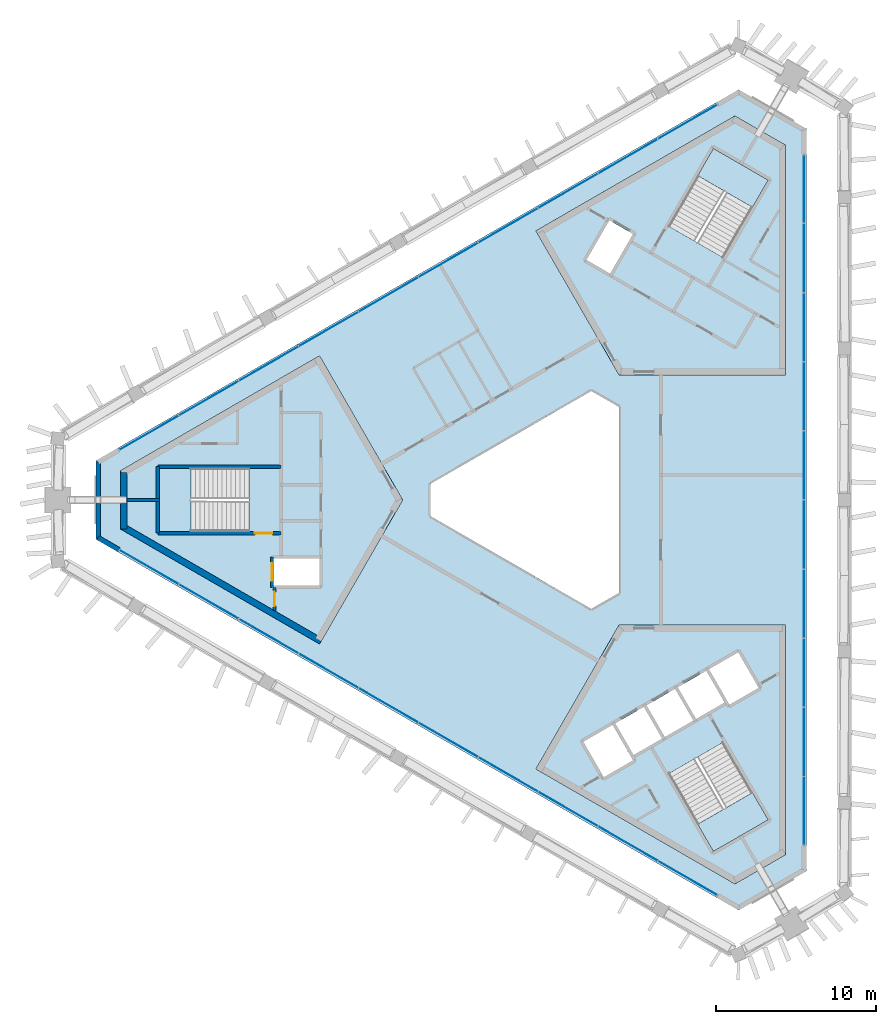
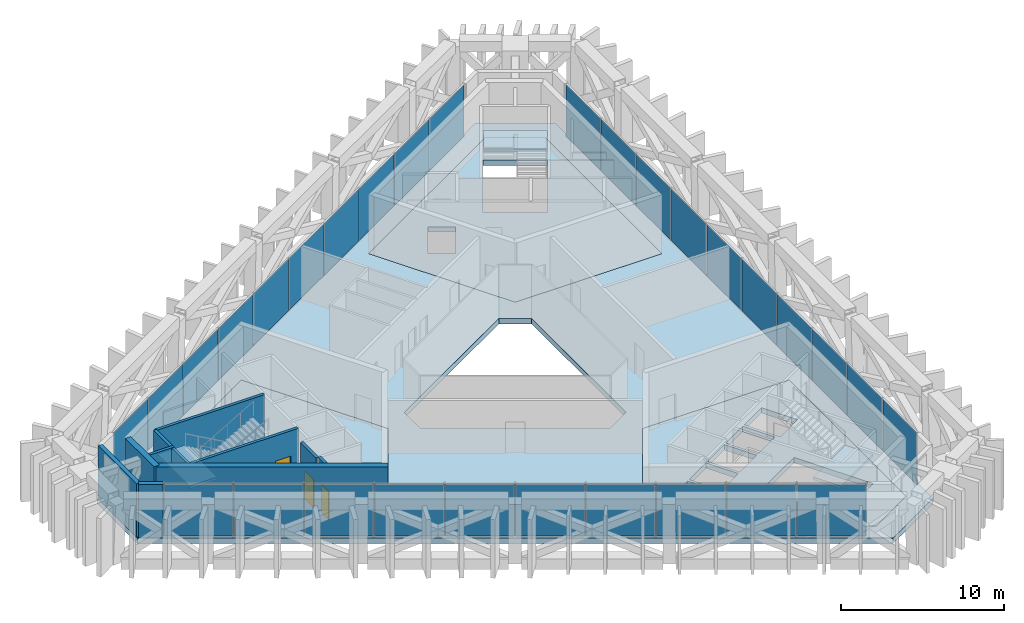
# One storey, part 7 of 12: 30 plates, 10 walls, 7 slabs, 3 doors, 3 openings, 6 elements without a shape of their own.
"""IFC4 building model written with IfcOpenShell, lengths in metres."""

from ifc_helpers import new_model, si_unit, direction, frame, frame_2d, origin, origin_2d, place, context, subcontext, project, spatial, polyline, rectangle, outline, extrude, material, layer, layer_set, type_object, element, fill, aggregate, save


model = new_model("IFC4")

# Units and contexts
model_context = context("Model", 3, precision=1e-05, world=origin(), true_north=direction((0.0, 1.0)))
body_context = subcontext(model_context, "Body", "Model", "MODEL_VIEW")
ifc_project = project(units=[si_unit("LENGTHUNIT", "METRE"), si_unit("AREAUNIT", "SQUARE_METRE"), si_unit("VOLUMEUNIT", "CUBIC_METRE"), si_unit("PLANEANGLEUNIT", "RADIAN"), si_unit("MASSUNIT", "GRAM", prefix="KILO")], contexts=[model_context])

# Site, building, storey
site_placement = place(None, origin())
site = spatial("IfcSite", under=ifc_project, at=site_placement, CompositionType="ELEMENT")
building_placement = place(site_placement, origin())
building = spatial("IfcBuilding", under=site, at=building_placement, Name="Jabali Bay Hotel Tower and Convention Centre", CompositionType="ELEMENT")
storey_placement = place(building_placement, frame((0.0, 0.0, 300.39990234375)))
storey = spatial("IfcBuildingStorey", under=building, at=storey_placement, Name="L74", CompositionType="ELEMENT", Elevation=300.39990234375)

# Curtain wall, plates
ifc_material_1 = material(Name="Aluminium and glass", Category="aluminium")
ifc_layer_1 = layer(ifc_material_1, 0.159912109375)
ifc_layer_set_1 = layer_set([ifc_layer_1], Name="Aluminium and glass")
curtain_wall_type = type_object("IfcCurtainWallType", Name="CW3 curtain wall", PredefinedType="NOTDEFINED", material=ifc_layer_set_1)
curtain_wall_1_placement = place(storey_placement, origin())
curtain_wall_1 = element("IfcCurtainWall", 1, at=curtain_wall_1_placement, inside=storey, type_object=curtain_wall_type, Name="CW3 curtain wall east face L74", PredefinedType="NOTDEFINED")
ifc_material_2 = material(Name="Glass", Category="glass")
ifc_layer_2 = layer(ifc_material_2, 0.028076171875)
ifc_layer_set_2 = layer_set([ifc_layer_2], Name="Glass")
plate_type = type_object("IfcPlateType", Name="CW3 glass panel 28", PredefinedType="CURTAIN_PANEL", material=ifc_layer_set_2)
plate_1_placement = place(storey_placement, frame((91.041015625, 99.393798828125, 0.06005859375), z_axis=(0.0, 0.0, 1.0), x_axis=(0.0, -1.0, 0.0)))
plate_1 = element("IfcPlate", 2, at=plate_1_placement, type_object=plate_type, Name="CW3 panel 1.1", PredefinedType="CURTAIN_PANEL", context=body_context, shape_type="SweptSolid", body=[
    extrude(rectangle(XDim=4.22314453125, YDim=0.028076171875, at=origin_2d()), origin(), (0.0, 0.0, 1.0), 3.8798828125),
])
plate_2_placement = place(storey_placement, frame((91.041015625, 95.095703125, 0.06005859375), z_axis=(0.0, 0.0, 1.0), x_axis=(0.0, -1.0, 0.0)))
plate_2 = element("IfcPlate", 3, at=plate_2_placement, type_object=plate_type, Name="CW3 panel 2.1", PredefinedType="CURTAIN_PANEL", context=body_context, shape_type="SweptSolid", body=[
    extrude(rectangle(XDim=4.253173828125, YDim=0.028076171875, at=origin_2d()), origin(), (0.0, 0.0, 1.0), 3.8798828125),
])
plate_3_placement = place(storey_placement, frame((91.041015625, 90.78271484375, 0.06005859375), z_axis=(0.0, 0.0, 1.0), x_axis=(0.0, -1.0, 0.0)))
plate_3 = element("IfcPlate", 4, at=plate_3_placement, type_object=plate_type, Name="CW3 panel 3.1", PredefinedType="CURTAIN_PANEL", context=body_context, shape_type="SweptSolid", body=[
    extrude(rectangle(XDim=4.253173828125, YDim=0.028076171875, at=origin_2d()), origin(), (0.0, 0.0, 1.0), 3.8798828125),
])
plate_4_placement = place(storey_placement, frame((91.041015625, 86.469482421875, 0.06005859375), z_axis=(0.0, 0.0, 1.0), x_axis=(0.0, -1.0, 0.0)))
plate_4 = element("IfcPlate", 5, at=plate_4_placement, type_object=plate_type, Name="CW3 panel 4.1", PredefinedType="CURTAIN_PANEL", context=body_context, shape_type="SweptSolid", body=[
    extrude(rectangle(XDim=4.253173828125, YDim=0.028076171875, at=origin_2d()), origin(), (0.0, 0.0, 1.0), 3.8798828125),
])
plate_5_placement = place(storey_placement, frame((91.041015625, 82.156494140625, 0.06005859375), z_axis=(0.0, 0.0, 1.0), x_axis=(0.0, -1.0, 0.0)))
plate_5 = element("IfcPlate", 6, at=plate_5_placement, type_object=plate_type, Name="CW3 panel 5.1", PredefinedType="CURTAIN_PANEL", context=body_context, shape_type="SweptSolid", body=[
    extrude(rectangle(XDim=4.253173828125, YDim=0.028076171875, at=origin_2d()), origin(), (0.0, 0.0, 1.0), 3.8798828125),
])
plate_6_placement = place(storey_placement, frame((91.041015625, 77.843505859375, 0.06005859375), z_axis=(0.0, 0.0, 1.0), x_axis=(0.0, -1.0, 0.0)))
plate_6 = element("IfcPlate", 7, at=plate_6_placement, type_object=plate_type, Name="CW3 panel 6.1", PredefinedType="CURTAIN_PANEL", context=body_context, shape_type="SweptSolid", body=[
    extrude(rectangle(XDim=4.253173828125, YDim=0.028076171875, at=origin_2d()), origin(), (0.0, 0.0, 1.0), 3.8798828125),
])
plate_7_placement = place(storey_placement, frame((91.041015625, 73.530517578125, 0.06005859375), z_axis=(0.0, 0.0, 1.0), x_axis=(0.0, -1.0, 0.0)))
plate_7 = element("IfcPlate", 8, at=plate_7_placement, type_object=plate_type, Name="CW3 panel 7.1", PredefinedType="CURTAIN_PANEL", context=body_context, shape_type="SweptSolid", body=[
    extrude(rectangle(XDim=4.253173828125, YDim=0.028076171875, at=origin_2d()), origin(), (0.0, 0.0, 1.0), 3.8798828125),
])
plate_8_placement = place(storey_placement, frame((91.041015625, 69.21728515625, 0.06005859375), z_axis=(0.0, 0.0, 1.0), x_axis=(0.0, -1.0, 0.0)))
plate_8 = element("IfcPlate", 9, at=plate_8_placement, type_object=plate_type, Name="CW3 panel 8.1", PredefinedType="CURTAIN_PANEL", context=body_context, shape_type="SweptSolid", body=[
    extrude(rectangle(XDim=4.253173828125, YDim=0.028076171875, at=origin_2d()), origin(), (0.0, 0.0, 1.0), 3.8798828125),
])
plate_9_placement = place(storey_placement, frame((91.041015625, 64.904296875, 0.06005859375), z_axis=(0.0, 0.0, 1.0), x_axis=(0.0, -1.0, 0.0)))
plate_9 = element("IfcPlate", 10, at=plate_9_placement, type_object=plate_type, Name="CW3 panel 9.1", PredefinedType="CURTAIN_PANEL", context=body_context, shape_type="SweptSolid", body=[
    extrude(rectangle(XDim=4.253173828125, YDim=0.028076171875, at=origin_2d()), origin(), (0.0, 0.0, 1.0), 3.8798828125),
])
plate_10_placement = place(storey_placement, frame((91.041015625, 60.606201171875, 0.06005859375), z_axis=(0.0, 0.0, 1.0), x_axis=(0.0, -1.0, 0.0)))
plate_10 = element("IfcPlate", 11, at=plate_10_placement, type_object=plate_type, Name="CW3 panel 10.1", PredefinedType="CURTAIN_PANEL", context=body_context, shape_type="SweptSolid", body=[
    extrude(rectangle(XDim=4.22314453125, YDim=0.028076171875, at=origin_2d()), origin(), (0.0, 0.0, 1.0), 3.8798828125),
])
aggregate(curtain_wall_1, [plate_1, plate_2, plate_3, plate_4, plate_5, plate_6, plate_7, plate_8, plate_9, plate_10])

curtain_wall_2_placement = place(storey_placement, origin())
curtain_wall_2 = element("IfcCurtainWall", 12, at=curtain_wall_2_placement, inside=storey, type_object=curtain_wall_type, Name="CW3 curtain wall north-west face L74", PredefinedType="NOTDEFINED")
plate_11_placement = place(storey_placement, frame((50.18408203125, 84.195068359375, 0.06005859375), z_axis=(0.0, 0.0, 1.0), x_axis=(0.866025400966, 0.500000004882, 0.0)))
plate_11 = element("IfcPlate", 13, at=plate_11_placement, type_object=plate_type, Name="CW3 panel 1.1", PredefinedType="CURTAIN_PANEL", context=body_context, shape_type="SweptSolid", body=[
    extrude(rectangle(XDim=4.22314453125, YDim=0.028076171875, at=origin_2d()), origin(), (0.0, 0.0, 1.0), 3.8798828125),
])
plate_12_placement = place(storey_placement, frame((53.90625, 86.343994140625, 0.06005859375), z_axis=(0.0, 0.0, 1.0), x_axis=(0.866025400966, 0.500000004882, 0.0)))
plate_12 = element("IfcPlate", 14, at=plate_12_placement, type_object=plate_type, Name="CW3 panel 2.1", PredefinedType="CURTAIN_PANEL", context=body_context, shape_type="SweptSolid", body=[
    extrude(rectangle(XDim=4.253173828125, YDim=0.028076171875, at=origin_2d()), origin(), (0.0, 0.0, 1.0), 3.8798828125),
])
plate_13_placement = place(storey_placement, frame((57.6416015625, 88.50048828125, 0.06005859375), z_axis=(0.0, 0.0, 1.0), x_axis=(0.866025400966, 0.500000004882, 0.0)))
plate_13 = element("IfcPlate", 15, at=plate_13_placement, type_object=plate_type, Name="CW3 panel 3.1", PredefinedType="CURTAIN_PANEL", context=body_context, shape_type="SweptSolid", body=[
    extrude(rectangle(XDim=4.253173828125, YDim=0.028076171875, at=origin_2d()), origin(), (0.0, 0.0, 1.0), 3.8798828125),
])
plate_14_placement = place(storey_placement, frame((61.376708984375, 90.656982421875, 0.06005859375), z_axis=(0.0, 0.0, 1.0), x_axis=(0.866025400966, 0.500000004882, 0.0)))
plate_14 = element("IfcPlate", 16, at=plate_14_placement, type_object=plate_type, Name="CW3 panel 4.1", PredefinedType="CURTAIN_PANEL", context=body_context, shape_type="SweptSolid", body=[
    extrude(rectangle(XDim=4.253173828125, YDim=0.028076171875, at=origin_2d()), origin(), (0.0, 0.0, 1.0), 3.8798828125),
])
plate_15_placement = place(storey_placement, frame((65.11181640625, 92.8134765625, 0.06005859375), z_axis=(0.0, 0.0, 1.0), x_axis=(0.866025400966, 0.500000004882, 0.0)))
plate_15 = element("IfcPlate", 17, at=plate_15_placement, type_object=plate_type, Name="CW3 panel 5.1", PredefinedType="CURTAIN_PANEL", context=body_context, shape_type="SweptSolid", body=[
    extrude(rectangle(XDim=4.253173828125, YDim=0.028076171875, at=origin_2d()), origin(), (0.0, 0.0, 1.0), 3.8798828125),
])
plate_16_placement = place(storey_placement, frame((68.84716796875, 94.97021484375, 0.06005859375), z_axis=(0.0, 0.0, 1.0), x_axis=(0.866025400966, 0.500000004882, 0.0)))
plate_16 = element("IfcPlate", 18, at=plate_16_placement, type_object=plate_type, Name="CW3 panel 6.1", PredefinedType="CURTAIN_PANEL", context=body_context, shape_type="SweptSolid", body=[
    extrude(rectangle(XDim=4.253173828125, YDim=0.028076171875, at=origin_2d()), origin(), (0.0, 0.0, 1.0), 3.8798828125),
])
plate_17_placement = place(storey_placement, frame((72.582275390625, 97.126708984375, 0.06005859375), z_axis=(0.0, 0.0, 1.0), x_axis=(0.866025400966, 0.500000004882, 0.0)))
plate_17 = element("IfcPlate", 19, at=plate_17_placement, type_object=plate_type, Name="CW3 panel 7.1", PredefinedType="CURTAIN_PANEL", context=body_context, shape_type="SweptSolid", body=[
    extrude(rectangle(XDim=4.253173828125, YDim=0.028076171875, at=origin_2d()), origin(), (0.0, 0.0, 1.0), 3.8798828125),
])
plate_18_placement = place(storey_placement, frame((76.317626953125, 99.283203125, 0.06005859375), z_axis=(0.0, 0.0, 1.0), x_axis=(0.866025400966, 0.500000004882, 0.0)))
plate_18 = element("IfcPlate", 20, at=plate_18_placement, type_object=plate_type, Name="CW3 panel 8.1", PredefinedType="CURTAIN_PANEL", context=body_context, shape_type="SweptSolid", body=[
    extrude(rectangle(XDim=4.253173828125, YDim=0.028076171875, at=origin_2d()), origin(), (0.0, 0.0, 1.0), 3.8798828125),
])
plate_19_placement = place(storey_placement, frame((80.052734375, 101.439697265625, 0.06005859375), z_axis=(0.0, 0.0, 1.0), x_axis=(0.866025400966, 0.500000004882, 0.0)))
plate_19 = element("IfcPlate", 21, at=plate_19_placement, type_object=plate_type, Name="CW3 panel 9.1", PredefinedType="CURTAIN_PANEL", context=body_context, shape_type="SweptSolid", body=[
    extrude(rectangle(XDim=4.253173828125, YDim=0.028076171875, at=origin_2d()), origin(), (0.0, 0.0, 1.0), 3.8798828125),
])
plate_20_placement = place(storey_placement, frame((83.77490234375, 103.588623046875, 0.06005859375), z_axis=(0.0, 0.0, 1.0), x_axis=(0.866025400966, 0.500000004882, 0.0)))
plate_20 = element("IfcPlate", 22, at=plate_20_placement, type_object=plate_type, Name="CW3 panel 10.1", PredefinedType="CURTAIN_PANEL", context=body_context, shape_type="SweptSolid", body=[
    extrude(rectangle(XDim=4.22314453125, YDim=0.028076171875, at=origin_2d()), origin(), (0.0, 0.0, 1.0), 3.8798828125),
])
aggregate(curtain_wall_2, [plate_11, plate_12, plate_13, plate_14, plate_15, plate_16, plate_17, plate_18, plate_19, plate_20])

curtain_wall_3_placement = place(storey_placement, origin())
curtain_wall_3 = element("IfcCurtainWall", 23, at=curtain_wall_3_placement, inside=storey, type_object=curtain_wall_type, Name="CW3 curtain wall south-west face L74", PredefinedType="NOTDEFINED")
plate_21_placement = place(storey_placement, frame((83.77490234375, 56.411376953125, 0.06005859375), z_axis=(0.0, 0.0, 1.0), x_axis=(-0.866025400966, 0.500000004882, 0.0)))
plate_21 = element("IfcPlate", 24, at=plate_21_placement, type_object=plate_type, Name="CW3 panel 1.1", PredefinedType="CURTAIN_PANEL", context=body_context, shape_type="SweptSolid", body=[
    extrude(rectangle(XDim=4.22314453125, YDim=0.028076171875, at=origin_2d()), origin(), (0.0, 0.0, 1.0), 3.8798828125),
])
plate_22_placement = place(storey_placement, frame((80.052734375, 58.560302734375, 0.06005859375), z_axis=(0.0, 0.0, 1.0), x_axis=(-0.866025400966, 0.500000004882, 0.0)))
plate_22 = element("IfcPlate", 25, at=plate_22_placement, type_object=plate_type, Name="CW3 panel 2.1", PredefinedType="CURTAIN_PANEL", context=body_context, shape_type="SweptSolid", body=[
    extrude(rectangle(XDim=4.253173828125, YDim=0.028076171875, at=origin_2d()), origin(), (0.0, 0.0, 1.0), 3.8798828125),
])
plate_23_placement = place(storey_placement, frame((76.317626953125, 60.716796875, 0.06005859375), z_axis=(0.0, 0.0, 1.0), x_axis=(-0.866025400966, 0.500000004882, 0.0)))
plate_23 = element("IfcPlate", 26, at=plate_23_placement, type_object=plate_type, Name="CW3 panel 3.1", PredefinedType="CURTAIN_PANEL", context=body_context, shape_type="SweptSolid", body=[
    extrude(rectangle(XDim=4.253173828125, YDim=0.028076171875, at=origin_2d()), origin(), (0.0, 0.0, 1.0), 3.8798828125),
])
plate_24_placement = place(storey_placement, frame((72.582275390625, 62.873291015625, 0.06005859375), z_axis=(0.0, 0.0, 1.0), x_axis=(-0.866025400966, 0.500000004882, 0.0)))
plate_24 = element("IfcPlate", 27, at=plate_24_placement, type_object=plate_type, Name="CW3 panel 4.1", PredefinedType="CURTAIN_PANEL", context=body_context, shape_type="SweptSolid", body=[
    extrude(rectangle(XDim=4.253173828125, YDim=0.028076171875, at=origin_2d()), origin(), (0.0, 0.0, 1.0), 3.8798828125),
])
plate_25_placement = place(storey_placement, frame((68.84716796875, 65.02978515625, 0.06005859375), z_axis=(0.0, 0.0, 1.0), x_axis=(-0.866025400966, 0.500000004882, 0.0)))
plate_25 = element("IfcPlate", 28, at=plate_25_placement, type_object=plate_type, Name="CW3 panel 5.1", PredefinedType="CURTAIN_PANEL", context=body_context, shape_type="SweptSolid", body=[
    extrude(rectangle(XDim=4.253173828125, YDim=0.028076171875, at=origin_2d()), origin(), (0.0, 0.0, 1.0), 3.8798828125),
])
plate_26_placement = place(storey_placement, frame((65.11181640625, 67.1865234375, 0.06005859375), z_axis=(0.0, 0.0, 1.0), x_axis=(-0.866025400966, 0.500000004882, 0.0)))
plate_26 = element("IfcPlate", 29, at=plate_26_placement, type_object=plate_type, Name="CW3 panel 6.1", PredefinedType="CURTAIN_PANEL", context=body_context, shape_type="SweptSolid", body=[
    extrude(rectangle(XDim=4.253173828125, YDim=0.028076171875, at=origin_2d()), origin(), (0.0, 0.0, 1.0), 3.8798828125),
])
plate_27_placement = place(storey_placement, frame((61.376708984375, 69.343017578125, 0.06005859375), z_axis=(0.0, 0.0, 1.0), x_axis=(-0.866025400966, 0.500000004882, 0.0)))
plate_27 = element("IfcPlate", 30, at=plate_27_placement, type_object=plate_type, Name="CW3 panel 7.1", PredefinedType="CURTAIN_PANEL", context=body_context, shape_type="SweptSolid", body=[
    extrude(rectangle(XDim=4.253173828125, YDim=0.028076171875, at=origin_2d()), origin(), (0.0, 0.0, 1.0), 3.8798828125),
])
plate_28_placement = place(storey_placement, frame((57.6416015625, 71.49951171875, 0.06005859375), z_axis=(0.0, 0.0, 1.0), x_axis=(-0.866025400966, 0.500000004882, 0.0)))
plate_28 = element("IfcPlate", 31, at=plate_28_placement, type_object=plate_type, Name="CW3 panel 8.1", PredefinedType="CURTAIN_PANEL", context=body_context, shape_type="SweptSolid", body=[
    extrude(rectangle(XDim=4.253173828125, YDim=0.028076171875, at=origin_2d()), origin(), (0.0, 0.0, 1.0), 3.8798828125),
])
plate_29_placement = place(storey_placement, frame((53.90625, 73.656005859375, 0.06005859375), z_axis=(0.0, 0.0, 1.0), x_axis=(-0.866025400966, 0.500000004882, 0.0)))
plate_29 = element("IfcPlate", 32, at=plate_29_placement, type_object=plate_type, Name="CW3 panel 9.1", PredefinedType="CURTAIN_PANEL", context=body_context, shape_type="SweptSolid", body=[
    extrude(rectangle(XDim=4.253173828125, YDim=0.028076171875, at=origin_2d()), origin(), (0.0, 0.0, 1.0), 3.8798828125),
])
plate_30_placement = place(storey_placement, frame((50.18408203125, 75.804931640625, 0.06005859375), z_axis=(0.0, 0.0, 1.0), x_axis=(-0.866025400966, 0.500000004882, 0.0)))
plate_30 = element("IfcPlate", 33, at=plate_30_placement, type_object=plate_type, Name="CW3 panel 10.1", PredefinedType="CURTAIN_PANEL", context=body_context, shape_type="SweptSolid", body=[
    extrude(rectangle(XDim=4.22314453125, YDim=0.028076171875, at=origin_2d()), origin(), (0.0, 0.0, 1.0), 3.8798828125),
])
aggregate(curtain_wall_3, [plate_21, plate_22, plate_23, plate_24, plate_25, plate_26, plate_27, plate_28, plate_29, plate_30])

# Slabs
ifc_material_3 = material(Name="Concrete C40", Category="concrete")
ifc_layer_3 = layer(ifc_material_3, 0.39990234375)
ifc_layer_set_3 = layer_set([ifc_layer_3], Name="Concrete C40")
slab_type_1 = type_object("IfcSlabType", Name="Core floor slab 400", PredefinedType="FLOOR", material=ifc_layer_set_3)
slab_1_placement = place(storey_placement, frame((0.0, 0.0, -0.39990234375)))
element("IfcSlab", 34, at=slab_1_placement, inside=storey, type_object=slab_type_1, Name="Core floor slab 1 L74", PredefinedType="FLOOR", context=body_context, shape_type="SweptSolid", body=[
    extrude(outline(polyline([(66.0, 80.0), (60.81005859375, 88.9892578125), (48.39697265625, 81.82275390625), (48.39697265625, 78.17724609375), (60.81005859375, 71.0107421875), (66.0, 80.0)]), holes=[polyline([(60.800048828125, 76.35009765625), (57.949951171875, 76.35009765625), (57.949951171875, 74.64990234375), (60.800048828125, 74.64990234375), (60.800048828125, 76.35009765625)]), polyline([(50.820068359375, 81.97509765625), (50.820068359375, 78.02490234375), (56.409912109375, 78.02490234375), (56.409912109375, 81.97509765625), (50.820068359375, 81.97509765625)])]), origin(), (0.0, 0.0, 1.0), 0.39990234375),
])
slab_2_placement = place(storey_placement, frame((0.0, 0.0, -0.39990234375)))
element("IfcSlab", 35, at=slab_2_placement, inside=storey, type_object=slab_type_1, Name="Core floor slab 2 L74", PredefinedType="FLOOR", context=body_context, shape_type="SweptSolid", body=[
    extrude(outline(polyline([(79.5, 87.794189453125), (89.8798828125, 87.794189453125), (89.8798828125, 102.127685546875), (86.72314453125, 103.9501953125), (74.31005859375, 96.78369140625), (79.5, 87.794189453125)]), holes=[polyline([(78.93896484375, 94.12255859375), (80.364013671875, 96.5908203125), (78.891845703125, 97.440673828125), (77.466796875, 94.97265625), (78.93896484375, 94.12255859375)]), polyline([(88.80029296875, 99.952880859375), (85.379638671875, 101.927978515625), (82.584716796875, 97.0869140625), (86.00537109375, 95.11181640625), (88.80029296875, 99.952880859375)])]), origin(), (0.0, 0.0, 1.0), 0.39990234375),
])
slab_3_placement = place(storey_placement, frame((0.0, 0.0, -0.39990234375)))
element("IfcSlab", 36, at=slab_3_placement, inside=storey, type_object=slab_type_1, Name="Core floor slab 3 L74", PredefinedType="FLOOR", context=body_context, shape_type="SweptSolid", body=[
    extrude(outline(polyline([(79.5, 72.205810546875), (74.31005859375, 63.21630859375), (86.72314453125, 56.0498046875), (89.8798828125, 57.872314453125), (89.8798828125, 72.205810546875), (79.5, 72.205810546875)]), holes=[polyline([(82.584716796875, 62.9130859375), (85.379638671875, 58.072021484375), (88.80029296875, 60.047119140625), (86.00537109375, 64.88818359375), (82.584716796875, 62.9130859375)]), polyline([(80.365478515625, 63.756591796875), (79.090576171875, 65.96484375), (77.27197265625, 64.9150390625), (78.546875, 62.70654296875), (80.365478515625, 63.756591796875)]), polyline([(82.17919921875, 65.115478515625), (81.0390625, 67.08984375), (79.263671875, 66.06494140625), (80.40380859375, 64.09033203125), (82.17919921875, 65.115478515625)]), polyline([(82.98779296875, 68.21484375), (81.21240234375, 67.18994140625), (82.352294921875, 65.21533203125), (84.127685546875, 66.240478515625), (82.98779296875, 68.21484375)]), polyline([(86.076171875, 67.365478515625), (84.936279296875, 69.33984375), (83.160888671875, 68.31494140625), (84.30078125, 66.34033203125), (86.076171875, 67.365478515625)]), polyline([(88.203125, 68.281494140625), (86.927978515625, 70.489990234375), (85.109375, 69.43994140625), (86.384521484375, 67.231689453125), (88.203125, 68.281494140625)])]), origin(), (0.0, 0.0, 1.0), 0.39990234375),
])
ifc_layer_4 = layer(ifc_material_3, 0.39990234375)
ifc_layer_set_4 = layer_set([ifc_layer_4], Name="Concrete C40")
slab_type_2 = type_object("IfcSlabType", Name="Post-tensioned flat slab 400", PredefinedType="FLOOR", material=ifc_layer_set_4)
slab_4_placement = place(storey_placement, frame((0.0, 0.0, -0.39990234375)))
element("IfcSlab", 37, at=slab_4_placement, inside=storey, type_object=slab_type_2, Name="Floor slab L74", PredefinedType="FLOOR", context=body_context, shape_type="SweptSolid", body=[
    extrude(outline(polyline([(86.95458984375, 105.59765625), (91.19091796875, 103.15185546875), (91.19091796875, 56.84814453125), (86.95458984375, 54.40234375), (46.8544921875, 77.55419921875), (46.8544921875, 82.44580078125), (86.95458984375, 105.59765625)]), holes=[polyline([(67.73193359375, 79.0), (77.76806640625, 73.205810546875), (79.5, 74.205810546875), (79.5, 85.794189453125), (77.76806640625, 86.794189453125), (67.73193359375, 81.0), (67.73193359375, 79.0)]), polyline([(48.39697265625, 78.17724609375), (60.81005859375, 71.0107421875), (66.0, 80.0), (60.81005859375, 88.9892578125), (48.39697265625, 81.82275390625), (48.39697265625, 78.17724609375)]), polyline([(89.8798828125, 102.127685546875), (86.72314453125, 103.9501953125), (74.31005859375, 96.78369140625), (79.5, 87.794189453125), (89.8798828125, 87.794189453125), (89.8798828125, 102.127685546875)]), polyline([(74.31005859375, 63.21630859375), (86.72314453125, 56.0498046875), (89.8798828125, 57.872314453125), (89.8798828125, 72.205810546875), (79.5, 72.205810546875), (74.31005859375, 63.21630859375)])]), origin(), (0.0, 0.0, 1.0), 0.39990234375),
])

# Stair, slab
stair_type = type_object("IfcStairType", Name="Exit stair 1900", PredefinedType="HALF_TURN_STAIR", material=ifc_material_3)
stair_1_placement = place(storey_placement, origin())
stair_1 = element("IfcStair", 38, at=stair_1_placement, inside=storey, type_object=stair_type, Name="L74 Exit Stair 1", PredefinedType="HALF_TURN_STAIR")
ifc_layer_5 = layer(ifc_material_3, 0.199951171875)
ifc_layer_set_5 = layer_set([ifc_layer_5], Name="Concrete C40")
slab_type_3 = type_object("IfcSlabType", Name="Stair landing 200", PredefinedType="LANDING", material=ifc_layer_set_5)
slab_5_placement = place(storey_placement, frame((0.0, 0.0, 2.0)))
slab_5 = element("IfcSlab", 39, at=slab_5_placement, type_object=slab_type_3, Name="ST1 landing 1", PredefinedType="LANDING", context=body_context, shape_type="SweptSolid", body=[
    extrude(outline(polyline([(52.782958984375, 81.97509765625), (50.820068359375, 81.97509765625), (50.820068359375, 78.02490234375), (52.782958984375, 78.02490234375), (52.782958984375, 81.97509765625)])), origin(), (0.0, 0.0, 1.0), 0.2001953125),
])
aggregate(stair_1, [slab_5])

stair_2_placement = place(storey_placement, origin())
stair_2 = element("IfcStair", 40, at=stair_2_placement, inside=storey, type_object=stair_type, Name="L74 Exit Stair 2", PredefinedType="HALF_TURN_STAIR")
slab_6_placement = place(storey_placement, frame((0.0, 0.0, 2.0)))
slab_6 = element("IfcSlab", 41, at=slab_6_placement, type_object=slab_type_3, Name="ST2 landing 1", PredefinedType="LANDING", context=body_context, shape_type="SweptSolid", body=[
    extrude(outline(polyline([(87.81884765625, 98.2529296875), (88.80029296875, 99.952880859375), (85.379638671875, 101.927978515625), (84.398193359375, 100.22802734375), (87.81884765625, 98.2529296875)])), origin(), (0.0, 0.0, 1.0), 0.2001953125),
])
aggregate(stair_2, [slab_6])

stair_3_placement = place(storey_placement, origin())
stair_3 = element("IfcStair", 42, at=stair_3_placement, inside=storey, type_object=stair_type, Name="L74 Exit Stair 3", PredefinedType="HALF_TURN_STAIR")
slab_7_placement = place(storey_placement, frame((0.0, 0.0, 2.0)))
slab_7 = element("IfcSlab", 43, at=slab_7_placement, type_object=slab_type_3, Name="ST3 landing 1", PredefinedType="LANDING", context=body_context, shape_type="SweptSolid", body=[
    extrude(outline(polyline([(84.398193359375, 59.77197265625), (85.379638671875, 58.072021484375), (88.80029296875, 60.047119140625), (87.81884765625, 61.7470703125), (84.398193359375, 59.77197265625)])), origin(), (0.0, 0.0, 1.0), 0.2001953125),
])
aggregate(stair_3, [slab_7])

# Wall
ifc_layer_6 = layer(ifc_material_3, 0.199951171875)
ifc_layer_set_6 = layer_set([ifc_layer_6], Name="Concrete C40")
wall_type_1 = type_object("IfcWallType", Name="Core partition wall 200", PredefinedType="PARTITIONING", material=ifc_layer_set_6)
wall_1_placement = place(storey_placement, frame((50.820068359375, 80.0, 0.0), z_axis=(0.0, 0.0, 1.0), x_axis=(-1.0, 0.0, 0.0)))
element("IfcWall", 44, at=wall_1_placement, inside=storey, type_object=wall_type_1, Name="Core wall 0.4 L74", PredefinedType="PARTITIONING", context=body_context, shape_type="SweptSolid", body=[
    extrude(rectangle(XDim=2.023193359375, YDim=0.199951171875, at=frame_2d((1.01171875, 0.0))), origin(), (0.0, 0.0, 1.0), 4.0),
])

# Wall, opening, door
wall_2_placement = place(storey_placement, frame((58.0, 74.550048828125, 0.0), z_axis=(0.0, 0.0, 1.0), x_axis=(0.0, -1.0, 0.0)))
wall_2 = element("IfcWall", 45, at=wall_2_placement, inside=storey, type_object=wall_type_1, Name="Core wall 0.11 L74", PredefinedType="PARTITIONING", context=body_context, shape_type="SweptSolid", body=[
    extrude(rectangle(XDim=1.455078125, YDim=0.199951171875, at=frame_2d((0.7275390625, 0.0))), origin(), (0.0, 0.0, 1.0), 4.0),
])
opening_1_placement = place(wall_2_placement, frame((0.277587890625, 0.0, 0.0)))
opening_1 = element("IfcOpeningElement", 46, at=opening_1_placement, cuts=wall_2, Name="Opening D1641", PredefinedType="OPENING", context=body_context, shape_type="SweptSolid", body=[
    extrude(rectangle(XDim=0.89990234375, YDim=2.10009765625, at=frame_2d((0.449951171875, 1.050048828125))), frame((0.0, 0.1103515625, 0.0), z_axis=(0.0, -1.0, 0.0), x_axis=(1.0, 0.0, 0.0)), (0.0, 0.0, 1.0), 0.220947265625),
])
ifc_material_4 = material(Name="Fire-rated steel door", Category="steel")
door_type_1 = type_object("IfcDoorType", Name="Vestibule fire door 900 x 2100", OperationType="NOTDEFINED", PredefinedType="NOTDEFINED", material=ifc_material_4)
door_1_placement = place(opening_1_placement, origin())
door_1 = element("IfcDoor", 47, at=door_1_placement, inside=storey, type_object=door_type_1, Name="Vestibule fire door D1641", OperationType="SINGLE_SWING_LEFT", OverallHeight=2.10009765625, OverallWidth=0.89990234375, PredefinedType="NOTDEFINED", context=body_context, shape_type="SweptSolid", body=[
    extrude(rectangle(XDim=0.89990234375, YDim=2.10009765625, at=frame_2d((0.449951171875, 1.050048828125))), frame((0.0, 0.02490234375, 0.0), z_axis=(0.0, -1.0, 0.0), x_axis=(1.0, 0.0, 0.0)), (0.0, 0.0, 1.0), 0.050048828125),
])
fill(opening_1, door_1)

# Wall
ifc_layer_7 = layer(ifc_material_3, 0.199951171875)
ifc_layer_set_7 = layer_set([ifc_layer_7], Name="Concrete C40")
wall_type_2 = type_object("IfcWallType", Name="Core stair wall 200", PredefinedType="SOLIDWALL", material=ifc_layer_set_7)
wall_3_placement = place(storey_placement, frame((58.419921875, 82.074951171875, 0.0), z_axis=(0.0, 0.0, 1.0), x_axis=(-1.0, 0.0, 0.0)))
element("IfcWall", 48, at=wall_3_placement, inside=storey, type_object=wall_type_2, Name="Core wall 0.2 L74", PredefinedType="SOLIDWALL", context=body_context, shape_type="SweptSolid", body=[
    extrude(rectangle(XDim=7.699951171875, YDim=0.199951171875, at=frame_2d((3.85009765625, 0.0))), origin(), (0.0, 0.0, 1.0), 4.0),
])

# Wall, opening, door
wall_4_placement = place(storey_placement, frame((58.419921875, 77.925048828125, 0.0), z_axis=(0.0, 0.0, 1.0), x_axis=(-1.0, 0.0, 0.0)))
wall_4 = element("IfcWall", 49, at=wall_4_placement, inside=storey, type_object=wall_type_2, Name="Core wall 0.6 L74", PredefinedType="SOLIDWALL", context=body_context, shape_type="SweptSolid", body=[
    extrude(rectangle(XDim=7.699951171875, YDim=0.199951171875, at=frame_2d((3.85009765625, 0.0))), origin(), (0.0, 0.0, 1.0), 4.0),
])
opening_2_placement = place(wall_4_placement, frame((0.550048828125, 0.0, 0.0)))
opening_2 = element("IfcOpeningElement", 50, at=opening_2_placement, cuts=wall_4, Name="Opening D1643", PredefinedType="OPENING", context=body_context, shape_type="SweptSolid", body=[
    extrude(rectangle(XDim=1.10009765625, YDim=2.10009765625, at=frame_2d((0.550048828125, 1.050048828125))), frame((0.0, 0.1103515625, 0.0), z_axis=(0.0, -1.0, 0.0), x_axis=(1.0, 0.0, 0.0)), (0.0, 0.0, 1.0), 0.220947265625),
])
door_type_2 = type_object("IfcDoorType", Name="Stair fire door 1100 x 2100", OperationType="NOTDEFINED", PredefinedType="NOTDEFINED", material=ifc_material_4)
door_2_placement = place(opening_2_placement, origin())
door_2 = element("IfcDoor", 51, at=door_2_placement, inside=storey, type_object=door_type_2, Name="Stair fire door D1643", OperationType="SINGLE_SWING_RIGHT", OverallHeight=2.10009765625, OverallWidth=1.10009765625, PredefinedType="NOTDEFINED", context=body_context, shape_type="SweptSolid", body=[
    extrude(rectangle(XDim=1.10009765625, YDim=2.10009765625, at=frame_2d((0.550048828125, 1.050048828125))), frame((0.0, 0.02490234375, 0.0), z_axis=(0.0, -1.0, 0.0), x_axis=(1.0, 0.0, 0.0)), (0.0, 0.0, 1.0), 0.050048828125),
])
fill(opening_2, door_2)

wall_5_placement = place(storey_placement, frame((57.85009765625, 76.449951171875, 0.0), z_axis=(0.0, 0.0, 1.0), x_axis=(0.0, -1.0, 0.0)))
wall_5 = element("IfcWall", 52, at=wall_5_placement, inside=storey, type_object=wall_type_2, Name="Core wall 0.12 L74", PredefinedType="SOLIDWALL", context=body_context, shape_type="SweptSolid", body=[
    extrude(rectangle(XDim=1.89990234375, YDim=0.199951171875, at=frame_2d((0.949951171875, 0.0))), origin(), (0.0, 0.0, 1.0), 4.0),
])
opening_3_placement = place(wall_5_placement, frame((0.39990234375, 0.0, 0.0)))
opening_3 = element("IfcOpeningElement", 53, at=opening_3_placement, cuts=wall_5, Name="Opening LD5-L74", PredefinedType="OPENING", context=body_context, shape_type="SweptSolid", body=[
    extrude(rectangle(XDim=1.10009765625, YDim=2.10009765625, at=frame_2d((0.550048828125, 1.050048828125))), frame((0.0, 0.1103515625, 0.0), z_axis=(0.0, -1.0, 0.0), x_axis=(1.0, 0.0, 0.0)), (0.0, 0.0, 1.0), 0.220947265625),
])
ifc_material_5 = material(Name="Stainless steel landing door", Category="steel")
door_type_3 = type_object("IfcDoorType", Name="Landing door 1100 x 2100", OperationType="NOTDEFINED", PredefinedType="NOTDEFINED", material=ifc_material_5)
door_3_placement = place(opening_3_placement, origin())
door_3 = element("IfcDoor", 54, at=door_3_placement, inside=storey, type_object=door_type_3, Name="Landing doors LD5-L74", OperationType="SLIDING_TO_RIGHT", OverallHeight=2.10009765625, OverallWidth=1.10009765625, PredefinedType="NOTDEFINED", context=body_context, shape_type="SweptSolid", body=[
    extrude(rectangle(XDim=1.10009765625, YDim=2.10009765625, at=frame_2d((0.550048828125, 1.050048828125))), frame((0.0, 0.02490234375, 0.0), z_axis=(0.0, -1.0, 0.0), x_axis=(1.0, 0.0, 0.0)), (0.0, 0.0, 1.0), 0.050048828125),
])
fill(opening_3, door_3)

# Walls
wall_6_placement = place(storey_placement, frame((50.719970703125, 82.074951171875, 0.0), z_axis=(0.0, 0.0, 1.0), x_axis=(0.0, -1.0, 0.0)))
element("IfcWall", 55, at=wall_6_placement, inside=storey, type_object=wall_type_2, Name="Core wall 0.14 L74", PredefinedType="SOLIDWALL", context=body_context, shape_type="SweptSolid", body=[
    extrude(rectangle(XDim=4.14990234375, YDim=0.199951171875, at=frame_2d((2.074951171875, 0.0))), origin(), (0.0, 0.0, 1.0), 4.0),
])
ifc_material_6 = material(Name="Concrete C60", Category="concrete")
ifc_layer_8 = layer(ifc_material_6, 0.39990234375)
ifc_layer_set_8 = layer_set([ifc_layer_8], Name="Concrete C60")
wall_type_3 = type_object("IfcWallType", Name="Core wall 400", PredefinedType="SHEAR", material=ifc_layer_set_8)
wall_7_placement = place(storey_placement, frame((48.596923828125, 81.707275390625, 0.0), z_axis=(0.0, 0.0, 1.0), x_axis=(0.0, -1.0, 0.0)))
element("IfcWall", 56, at=wall_7_placement, inside=storey, type_object=wall_type_3, Name="Core wall 1.3 L74", PredefinedType="SHEAR", context=body_context, shape_type="SweptSolid", body=[
    extrude(rectangle(XDim=3.530029296875, YDim=0.39990234375, at=frame_2d((1.76513671875, 0.0))), origin(), (0.0, 0.0, 1.0), 4.400146484375),
])
wall_8_placement = place(storey_placement, frame((48.596923828125, 78.292724609375, 0.0), z_axis=(0.0, 0.0, 1.0), x_axis=(0.866026024469, -0.499998924941, 0.0)))
element("IfcWall", 57, at=wall_8_placement, inside=storey, type_object=wall_type_3, Name="Core wall 1.4 L74", PredefinedType="SHEAR", context=body_context, shape_type="SweptSolid", body=[
    extrude(rectangle(XDim=14.2177734375, YDim=0.39990234375, at=frame_2d((7.10888671875, 0.0))), origin(), (0.0, 0.0, 1.0), 4.400146484375),
])
ifc_layer_9 = layer(ifc_material_3, 0.300048828125)
ifc_layer_set_9 = layer_set([ifc_layer_9], Name="Concrete C40")
wall_type_4 = type_object("IfcWallType", Name="External wall 300", PredefinedType="SOLIDWALL", material=ifc_layer_set_9)
wall_9_placement = place(storey_placement, frame((47.00439453125, 77.640869140625, 0.0), z_axis=(0.0, 0.0, 1.0), x_axis=(0.0, 1.0, 0.0)))
element("IfcWall", 58, at=wall_9_placement, inside=storey, type_object=wall_type_4, Name="External wall west chamfer L74", PredefinedType="SOLIDWALL", context=body_context, shape_type="SweptSolid", body=[
    extrude(rectangle(XDim=4.71826171875, YDim=0.300048828125, at=frame_2d((2.359130859375, 0.0))), origin(), (0.0, 0.0, 1.0), 4.0),
])
wall_10_placement = place(storey_placement, frame((48.303466796875, 76.890869140625, 0.0), z_axis=(0.0, 0.0, 1.0), x_axis=(-0.866031096941, 0.499990139034, 0.0)))
element("IfcWall", 59, at=wall_10_placement, inside=storey, type_object=wall_type_4, Name="External wall south-west face L74", PredefinedType="SOLIDWALL", context=body_context, shape_type="SweptSolid", body=[
    extrude(rectangle(XDim=1.5, YDim=0.300048828125, at=frame_2d((0.75, 0.0))), origin(), (0.0, 0.0, 1.0), 4.0),
])

save(model, "model.ifc")
